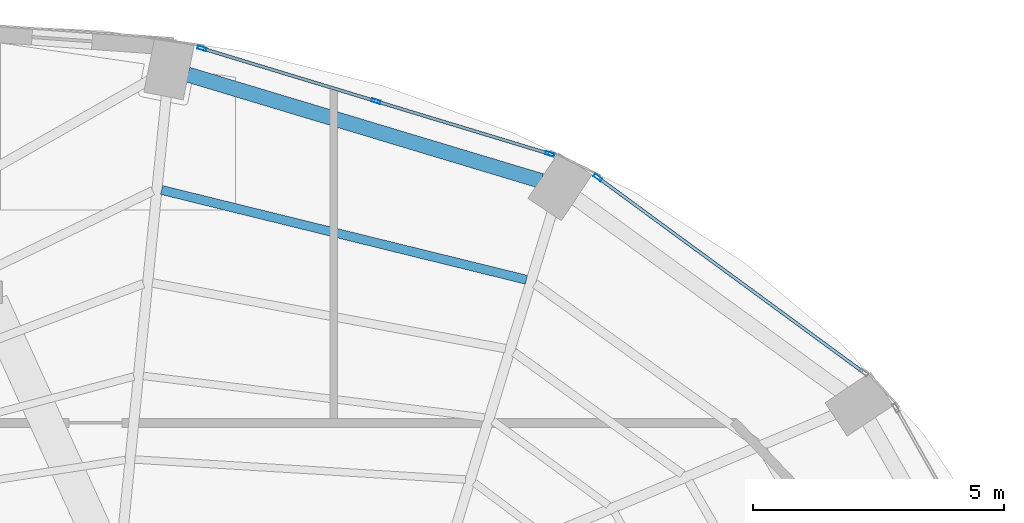
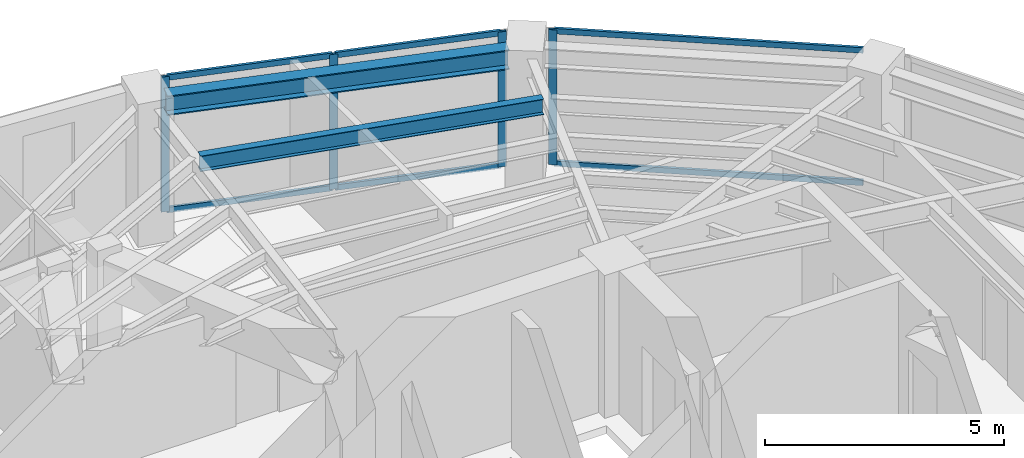
# One storey, part 17 of 23: 10 members, 2 beams, 2 elements without a shape of their own.
"""IFC4 building model written with IfcOpenShell, lengths in metres."""

from ifc_helpers import new_model, si_unit, direction, frame, origin, origin_2d, place, context, subcontext, project, spatial, hollow_rectangle, i_section, extrude, material, layer, layer_set, material_profile, profile_set, type_object, element, aggregate, save


model = new_model("IFC4")

# Units and contexts
model_context = context("Model", 3, precision=1e-05, world=origin(), true_north=direction((0.0, 1.0)))
body_context = subcontext(model_context, "Body", "Model", "MODEL_VIEW")
ifc_project = project(units=[si_unit("LENGTHUNIT", "METRE"), si_unit("AREAUNIT", "SQUARE_METRE"), si_unit("VOLUMEUNIT", "CUBIC_METRE"), si_unit("PLANEANGLEUNIT", "RADIAN"), si_unit("MASSUNIT", "GRAM", prefix="KILO")], contexts=[model_context])

# Site, building, storey
site_placement = place(None, origin())
site = spatial("IfcSite", under=ifc_project, at=site_placement, CompositionType="ELEMENT")
building_placement = place(site_placement, origin())
building = spatial("IfcBuilding", under=site, at=building_placement, Name="Lazwardi Medical Tower", CompositionType="ELEMENT")
storey_placement = place(building_placement, frame((0.0, 0.0, 209.424072265625)))
storey = spatial("IfcBuildingStorey", under=building, at=storey_placement, Name="L54", CompositionType="ELEMENT", Elevation=209.424072265625)

# Beams
ifc_material_1 = material(Name="Steel S355", Category="steel")
ifc_material_profile_1 = material_profile(ifc_material_1, i_section(OverallWidth=0.300048828125, OverallDepth=0.5, WebThickness=0.014404296875, FlangeThickness=0.028076171875, at=origin_2d()), Name="HEB 500")
ifc_profile_set_1 = profile_set([ifc_material_profile_1], Name="Steel S355")
beam_type_1 = type_object("IfcBeamType", Name="BM-RB-Z4", PredefinedType="BEAM", material=ifc_profile_set_1)
beam_1_placement = place(storey_placement, frame((47.626953125, 43.56640625, 3.197998046875), z_axis=(-0.957544311906, 0.288286126506, 0.0), x_axis=(-0.288286126506, -0.957544311906, 0.0)))
element("IfcBeam", 1, at=beam_1_placement, inside=storey, type_object=beam_type_1, Name="Ring beam RB-05 B07 L54", PredefinedType="BEAM", context=body_context, shape_type="SweptSolid", body=[
    extrude(i_section(OverallWidth=0.300048828125, OverallDepth=0.5, WebThickness=0.014404296875, FlangeThickness=0.028076171875, at=origin_2d()), origin(), (0.0, 0.0, 1.0), 7.3515625),
])
ifc_material_profile_2 = material_profile(ifc_material_1, i_section(OverallWidth=0.179931640625, OverallDepth=0.39990234375, WebThickness=0.008544921875, FlangeThickness=0.013427734375, at=origin_2d()), Name="IPE 400")
ifc_profile_set_2 = profile_set([ifc_material_profile_2], Name="Steel S355")
beam_type_2 = type_object("IfcBeamType", Name="BM-SJ-01", PredefinedType="JOIST", material=ifc_profile_set_2)
beam_2_placement = place(storey_placement, frame((47.334228515625, 41.59912109375, 3.248046875), z_axis=(-0.971041669317, 0.238910184904, 0.0), x_axis=(-0.238910184904, -0.971041669317, 0.0)))
element("IfcBeam", 2, at=beam_2_placement, inside=storey, type_object=beam_type_2, Name="Secondary joist SJ-01 R1 B07 L54", PredefinedType="JOIST", context=body_context, shape_type="SweptSolid", body=[
    extrude(i_section(OverallWidth=0.179931640625, OverallDepth=0.39990234375, WebThickness=0.008544921875, FlangeThickness=0.013427734375, at=origin_2d()), origin(), (0.0, 0.0, 1.0), 7.482421875),
])

# Curtain wall, member
ifc_material_2 = material(Name="Anodised bronze aluminium and solar control glazing", Category="aluminium")
ifc_layer = layer(ifc_material_2, 0.18994140625)
ifc_layer_set = layer_set([ifc_layer], Name="Anodised bronze aluminium and solar control glazing")
curtain_wall_type = type_object("IfcCurtainWallType", Name="CW-SYS-04", PredefinedType="NOTDEFINED", material=ifc_layer_set)
curtain_wall_1_placement = place(storey_placement, origin())
curtain_wall_1 = element("IfcCurtainWall", 3, at=curtain_wall_1_placement, inside=storey, type_object=curtain_wall_type, Name="L54 Unitised bronze curtain wall CW-04", PredefinedType="NOTDEFINED")
ifc_material_3 = material(Name="Anodised bronze aluminium", Category="aluminium")
ifc_material_profile_3 = material_profile(ifc_material_3, hollow_rectangle(XDim=0.06494140625, YDim=0.179931640625, WallThickness=0.00390625, at=origin_2d()), Name="ALU-MULLION 180x65x4")
ifc_profile_set_3 = profile_set([ifc_material_profile_3], Name="Anodised bronze aluminium")
member_type_1 = type_object("IfcMemberType", Name="CW-MUL-03", PredefinedType="MULLION", material=ifc_profile_set_3)
member_1_placement = place(storey_placement, frame((48.75537109375, 43.634765625, 0.0), z_axis=(0.0, 0.0, 1.0), x_axis=(-0.591268230971, -0.806474971121, 0.0)))
member_1 = element("IfcMember", 4, at=member_1_placement, type_object=member_type_1, Name="CW-04 mullion 2", PredefinedType="MULLION", context=body_context, shape_type="SweptSolid", body=[
    extrude(hollow_rectangle(XDim=0.06494140625, YDim=0.179931640625, WallThickness=0.00390625, at=origin_2d()), origin(), (0.0, 0.0, 1.0), 3.447998046875),
])

# Curtain wall, members
curtain_wall_2_placement = place(storey_placement, origin())
curtain_wall_2 = element("IfcCurtainWall", 5, at=curtain_wall_2_placement, inside=storey, type_object=curtain_wall_type, Name="L54 Unitised bronze curtain wall CW-04", PredefinedType="NOTDEFINED")
member_2_placement = place(storey_placement, frame((47.7998046875, 44.103515625, 0.0), z_axis=(0.0, 0.0, 1.0), x_axis=(-0.290581889515, -0.956850126972, 0.0)))
member_2 = element("IfcMember", 6, at=member_2_placement, type_object=member_type_1, Name="CW-04 mullion 1", PredefinedType="MULLION", context=body_context, shape_type="SweptSolid", body=[
    extrude(hollow_rectangle(XDim=0.06494140625, YDim=0.179931640625, WallThickness=0.00390625, at=origin_2d()), origin(), (0.0, 0.0, 1.0), 3.447998046875),
])
member_3_placement = place(storey_placement, frame((44.33642578125, 45.1552734375, 0.0), z_axis=(0.0, 0.0, 1.0), x_axis=(-0.290581889515, -0.956850126972, 0.0)))
member_3 = element("IfcMember", 7, at=member_3_placement, type_object=member_type_1, Name="CW-04 mullion 2", PredefinedType="MULLION", context=body_context, shape_type="SweptSolid", body=[
    extrude(hollow_rectangle(XDim=0.06494140625, YDim=0.179931640625, WallThickness=0.00390625, at=origin_2d()), origin(), (0.0, 0.0, 1.0), 3.447998046875),
])
member_4_placement = place(storey_placement, frame((40.873046875, 46.20703125, 0.0), z_axis=(0.0, 0.0, 1.0), x_axis=(-0.290581889515, -0.956850126972, 0.0)))
member_4 = element("IfcMember", 8, at=member_4_placement, type_object=member_type_1, Name="CW-04 mullion 3", PredefinedType="MULLION", context=body_context, shape_type="SweptSolid", body=[
    extrude(hollow_rectangle(XDim=0.06494140625, YDim=0.179931640625, WallThickness=0.00390625, at=origin_2d()), origin(), (0.0, 0.0, 1.0), 3.447998046875),
])

# Member
ifc_material_profile_4 = material_profile(ifc_material_3, hollow_rectangle(XDim=0.06494140625, YDim=0.139892578125, WallThickness=0.00341796875, at=origin_2d()), Name="ALU-TRANSOM 140x65x3.5")
ifc_profile_set_4 = profile_set([ifc_material_profile_4], Name="Anodised bronze aluminium")
member_type_2 = type_object("IfcMemberType", Name="CW-TRN-03", PredefinedType="USERDEFINED", material=ifc_profile_set_4)
member_5_placement = place(storey_placement, frame((54.02587890625, 39.770751953125, 0.032470703125), z_axis=(-0.806471831148, 0.591272513791, 0.0), x_axis=(-0.591272513791, -0.806471831148, 0.0)))
member_5 = element("IfcMember", 9, at=member_5_placement, type_object=member_type_2, Name="CW-04 transom 1.1", ObjectType="TRANSOM", PredefinedType="USERDEFINED", context=body_context, shape_type="SweptSolid", body=[
    extrude(hollow_rectangle(XDim=0.06494140625, YDim=0.139892578125, WallThickness=0.00341796875, at=origin_2d()), origin(), (0.0, 0.0, 1.0), 6.5029296875),
])

member_6_placement = place(storey_placement, frame((54.02587890625, 39.770751953125, 3.41552734375), z_axis=(-0.806471831148, 0.591272513791, 0.0), x_axis=(-0.591272513791, -0.806471831148, 0.0)))
member_6 = element("IfcMember", 10, at=member_6_placement, type_object=member_type_2, Name="CW-04 transom 1.2", ObjectType="TRANSOM", PredefinedType="USERDEFINED", context=body_context, shape_type="SweptSolid", body=[
    extrude(hollow_rectangle(XDim=0.06494140625, YDim=0.139892578125, WallThickness=0.00341796875, at=origin_2d()), origin(), (0.0, 0.0, 1.0), 6.5029296875),
])

aggregate(curtain_wall_1, [member_1, member_5, member_6])

member_7_placement = place(storey_placement, frame((47.7685546875, 44.113037109375, 0.032470703125), z_axis=(-0.956862505902, 0.290541124109, 0.0), x_axis=(-0.290541124109, -0.956862505902, 0.0)))
member_7 = element("IfcMember", 11, at=member_7_placement, type_object=member_type_2, Name="CW-04 transom 1.1", ObjectType="TRANSOM", PredefinedType="USERDEFINED", context=body_context, shape_type="SweptSolid", body=[
    extrude(hollow_rectangle(XDim=0.06494140625, YDim=0.139892578125, WallThickness=0.00341796875, at=origin_2d()), origin(), (0.0, 0.0, 1.0), 3.554443359375),
])

member_8_placement = place(storey_placement, frame((47.7685546875, 44.113037109375, 3.41552734375), z_axis=(-0.956862505902, 0.290541124109, 0.0), x_axis=(-0.290541124109, -0.956862505902, 0.0)))
member_8 = element("IfcMember", 12, at=member_8_placement, type_object=member_type_2, Name="CW-04 transom 1.2", ObjectType="TRANSOM", PredefinedType="USERDEFINED", context=body_context, shape_type="SweptSolid", body=[
    extrude(hollow_rectangle(XDim=0.06494140625, YDim=0.139892578125, WallThickness=0.00341796875, at=origin_2d()), origin(), (0.0, 0.0, 1.0), 3.554443359375),
])

member_9_placement = place(storey_placement, frame((44.305419921875, 45.164794921875, 0.032470703125), z_axis=(-0.956862505902, 0.290541124109, 0.0), x_axis=(-0.290541124109, -0.956862505902, 0.0)))
member_9 = element("IfcMember", 13, at=member_9_placement, type_object=member_type_2, Name="CW-04 transom 2.1", ObjectType="TRANSOM", PredefinedType="USERDEFINED", context=body_context, shape_type="SweptSolid", body=[
    extrude(hollow_rectangle(XDim=0.06494140625, YDim=0.139892578125, WallThickness=0.00341796875, at=origin_2d()), origin(), (0.0, 0.0, 1.0), 3.554443359375),
])

member_10_placement = place(storey_placement, frame((44.305419921875, 45.164794921875, 3.41552734375), z_axis=(-0.956862505902, 0.290541124109, 0.0), x_axis=(-0.290541124109, -0.956862505902, 0.0)))
member_10 = element("IfcMember", 14, at=member_10_placement, type_object=member_type_2, Name="CW-04 transom 2.2", ObjectType="TRANSOM", PredefinedType="USERDEFINED", context=body_context, shape_type="SweptSolid", body=[
    extrude(hollow_rectangle(XDim=0.06494140625, YDim=0.139892578125, WallThickness=0.00341796875, at=origin_2d()), origin(), (0.0, 0.0, 1.0), 3.554443359375),
])

aggregate(curtain_wall_2, [member_2, member_3, member_4, member_7, member_8, member_9, member_10])

save(model, "model.ifc")
